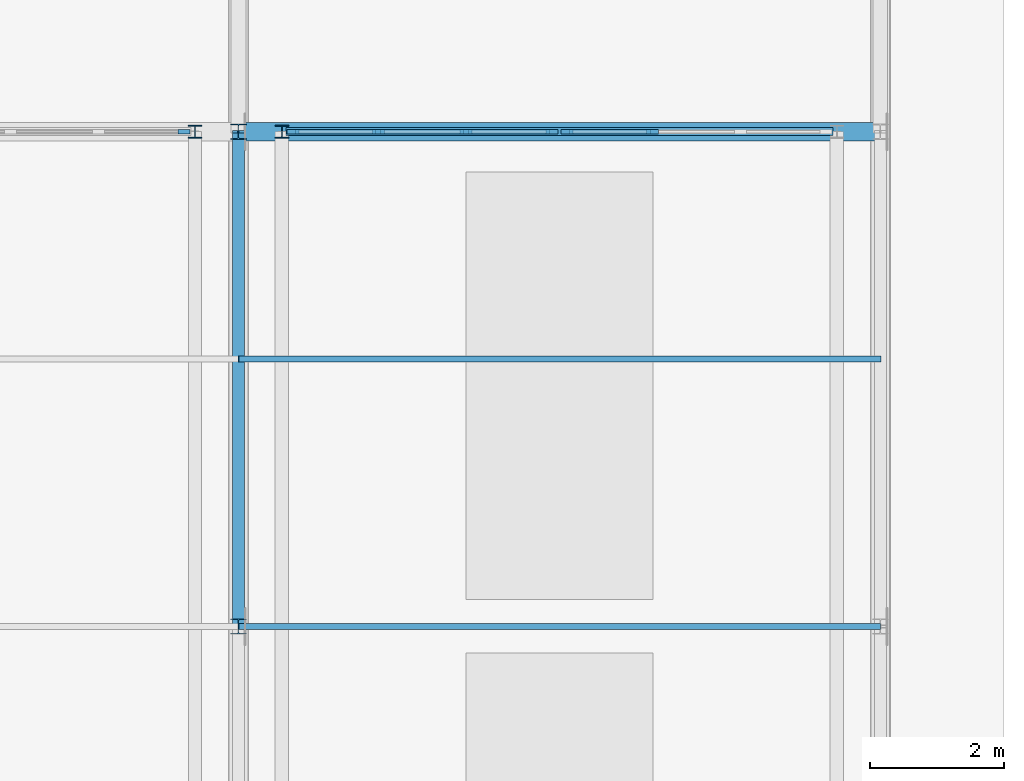
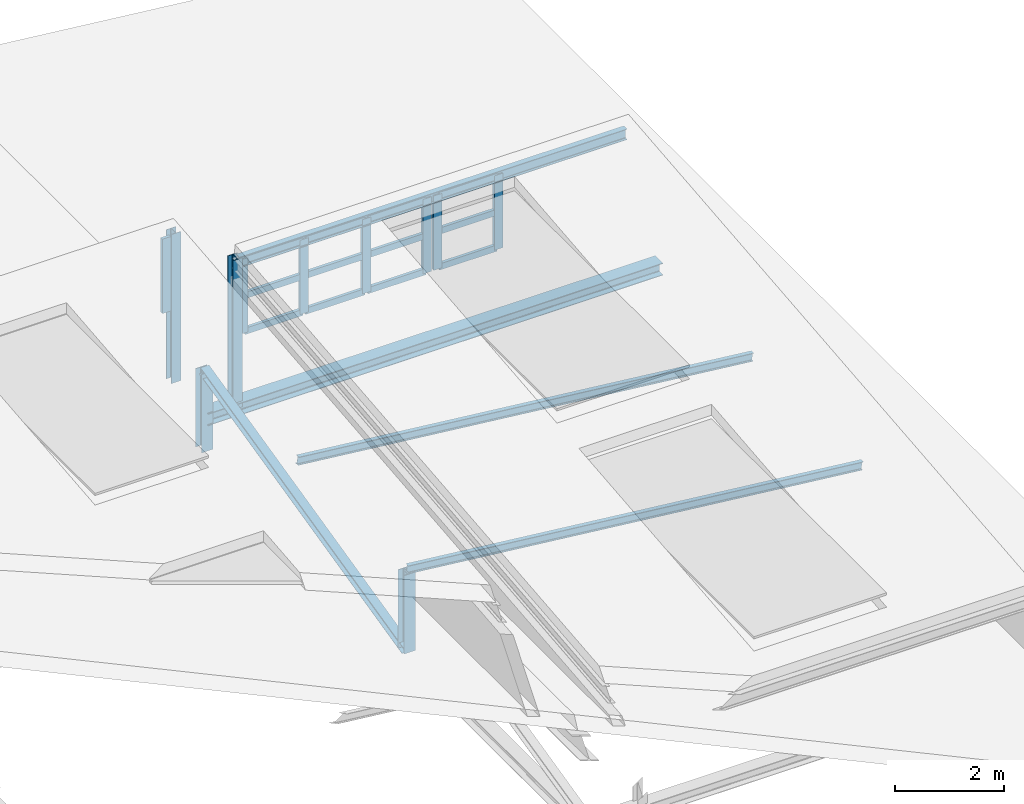
# One storey, part 22 of 30: 26 members, 2 beams, 3 elements without a shape of their own.
"""IFC4 building model written with IfcOpenShell, lengths in metres."""

from ifc_helpers import new_model, si_unit, direction, frame, origin, origin_2d, place, context, subcontext, project, spatial, rectangle, i_section, extrude, material, layer, layer_set, material_profile, profile_set, type_object, element, aggregate, save


model = new_model("IFC4")

# Units and contexts
model_context = context("Model", 3, precision=1e-05, world=origin(), true_north=direction((0.0, 1.0)))
body_context = subcontext(model_context, "Body", "Model", "MODEL_VIEW")
ifc_project = project(units=[si_unit("LENGTHUNIT", "METRE"), si_unit("AREAUNIT", "SQUARE_METRE"), si_unit("VOLUMEUNIT", "CUBIC_METRE"), si_unit("PLANEANGLEUNIT", "RADIAN"), si_unit("MASSUNIT", "GRAM", prefix="KILO")], contexts=[model_context])

# Site, building, storey
site_placement = place(None, origin())
site = spatial("IfcSite", under=ifc_project, at=site_placement, CompositionType="ELEMENT")
building_placement = place(site_placement, origin())
building = spatial("IfcBuilding", under=site, at=building_placement, Name="Alderhovde Museum", CompositionType="ELEMENT")
storey_placement = place(building_placement, frame((0.0, 0.0, 30.699951171875)))
storey = spatial("IfcBuildingStorey", under=building, at=storey_placement, Name="RF", CompositionType="ELEMENT", Elevation=30.699951171875)

# Beams
ifc_material_1 = material(Name="Steel S355J2", Category="steel")
ifc_material_profile_1 = material_profile(ifc_material_1, i_section(OverallWidth=0.280029296875, OverallDepth=0.27001953125, WebThickness=0.008056640625, FlangeThickness=0.012939453125, FilletRadius=0.02392578125, at=origin_2d()), Name="HEA 280")
ifc_profile_set_1 = profile_set([ifc_material_profile_1], Name="Steel S355J2")
beam_type_1 = type_object("IfcBeamType", Name="BM-HEA280", PredefinedType="BEAM", material=ifc_profile_set_1)
beam_1_placement = place(storey_placement, frame((67.199951171875, 71.39990234375, -8.0), z_axis=(1.0, 0.0, 0.0), x_axis=(0.0, 1.0, 0.0)))
element("IfcBeam", 1, at=beam_1_placement, inside=storey, type_object=beam_type_1, Name="Sawtooth Monitor Stringer Bay 7-N", PredefinedType="BEAM", context=body_context, shape_type="SweptSolid", body=[
    extrude(i_section(OverallWidth=0.280029296875, OverallDepth=0.27001953125, WebThickness=0.008056640625, FlangeThickness=0.012939453125, FilletRadius=0.02392578125, at=origin_2d()), origin(), (0.0, 0.0, 1.0), 9.60009765625),
])
ifc_material_2 = material(Name="Steel S355J2", Category="steel")
ifc_material_profile_2 = material_profile(ifc_material_2, i_section(OverallWidth=0.1201171875, OverallDepth=0.239990234375, WebThickness=0.006103515625, FlangeThickness=0.009765625, FilletRadius=0.014892578125, at=origin_2d()), Name="IPE 240")
ifc_profile_set_2 = profile_set([ifc_material_profile_2], Name="Steel S355J2")
beam_type_2 = type_object("IfcBeamType", Name="BM-IPE240", PredefinedType="BEAM", material=ifc_profile_set_2)
beam_2_placement = place(storey_placement, frame((67.909912109375, 71.39990234375, -4.791748046875), z_axis=(1.0, 0.0, 0.0), x_axis=(0.0, 1.0, 0.0)))
element("IfcBeam", 2, at=beam_2_placement, inside=storey, type_object=beam_type_2, Name="Sawtooth Monitor Wedge Rafter Bay 7-N", PredefinedType="BEAM", context=body_context, shape_type="SweptSolid", body=[
    extrude(i_section(OverallWidth=0.1201171875, OverallDepth=0.239990234375, WebThickness=0.006103515625, FlangeThickness=0.009765625, FilletRadius=0.014892578125, at=origin_2d()), origin(), (0.0, 0.0, 1.0), 8.18017578125),
])

# Curtain wall, member
ifc_material_3 = material(Name="Triple-Glazed Bronze-Anodised Curtain Wall", Category="glass")
ifc_layer = layer(ifc_material_3, 0.179931640625)
ifc_layer_set = layer_set([ifc_layer], Name="Triple-Glazed Bronze-Anodised Curtain Wall")
curtain_wall_type = type_object("IfcCurtainWallType", Name="CW-STIC-394x166", PredefinedType="USERDEFINED", material=ifc_layer_set)
curtain_wall_1_placement = place(storey_placement, origin())
curtain_wall_1 = element("IfcCurtainWall", 3, at=curtain_wall_1_placement, inside=storey, type_object=curtain_wall_type, Name="RF Stick Curtain Wall 176", ObjectType="STICK CURTAIN WALL", PredefinedType="USERDEFINED")
ifc_material_4 = material(Name="Bronze-Anodised Aluminium EN AW-6063-T6", Category="aluminium")
ifc_material_profile_3 = material_profile(ifc_material_4, rectangle(XDim=0.06494140625, YDim=0.179931640625, at=origin_2d()), Name="MULLION 65x180")
ifc_profile_set_3 = profile_set([ifc_material_profile_3], Name="Bronze-Anodised Aluminium EN AW-6063-T6")
member_type_1 = type_object("IfcMemberType", Name="CWM-65x180", PredefinedType="MULLION", material=ifc_profile_set_3)
member_1_placement = place(storey_placement, frame((66.387451171875, 71.39990234375, -5.383056640625), z_axis=(0.0, 0.0, 1.0), x_axis=(0.0, 1.0, 0.0)))
member_1 = element("IfcMember", 4, at=member_1_placement, type_object=member_type_1, Name="CW39 mullion 4", PredefinedType="MULLION", context=body_context, shape_type="SweptSolid", body=[
    extrude(rectangle(XDim=0.06494140625, YDim=0.179931640625, at=origin_2d()), origin(), (0.0, 0.0, 1.0), 1.66015625),
])
aggregate(curtain_wall_1, [member_1])

# Curtain wall, members
curtain_wall_2_placement = place(storey_placement, origin())
curtain_wall_2 = element("IfcCurtainWall", 5, at=curtain_wall_2_placement, inside=storey, type_object=curtain_wall_type, Name="RF Stick Curtain Wall 177", ObjectType="STICK CURTAIN WALL", PredefinedType="USERDEFINED")
member_2_placement = place(storey_placement, frame((68.012451171875, 71.39990234375, -6.421875), z_axis=(0.0, 0.0, 1.0), x_axis=(0.0, 1.0, 0.0)))
member_2 = element("IfcMember", 6, at=member_2_placement, type_object=member_type_1, Name="CW39 mullion 1", PredefinedType="MULLION", context=body_context, shape_type="SweptSolid", body=[
    extrude(rectangle(XDim=0.06494140625, YDim=0.179931640625, at=origin_2d()), origin(), (0.0, 0.0, 1.0), 1.659912109375),
])
member_3_placement = place(storey_placement, frame((69.293212890625, 71.39990234375, -6.421875), z_axis=(0.0, 0.0, 1.0), x_axis=(0.0, 1.0, 0.0)))
member_3 = element("IfcMember", 7, at=member_3_placement, type_object=member_type_1, Name="CW39 mullion 2", PredefinedType="MULLION", context=body_context, shape_type="SweptSolid", body=[
    extrude(rectangle(XDim=0.06494140625, YDim=0.179931640625, at=origin_2d()), origin(), (0.0, 0.0, 1.0), 1.659912109375),
])
member_4_placement = place(storey_placement, frame((70.606689453125, 71.39990234375, -6.421875), z_axis=(0.0, 0.0, 1.0), x_axis=(0.0, 1.0, 0.0)))
member_4 = element("IfcMember", 8, at=member_4_placement, type_object=member_type_1, Name="CW39 mullion 3", PredefinedType="MULLION", context=body_context, shape_type="SweptSolid", body=[
    extrude(rectangle(XDim=0.06494140625, YDim=0.179931640625, at=origin_2d()), origin(), (0.0, 0.0, 1.0), 1.659912109375),
])
member_5_placement = place(storey_placement, frame((71.887451171875, 71.39990234375, -6.421875), z_axis=(0.0, 0.0, 1.0), x_axis=(0.0, 1.0, 0.0)))
member_5 = element("IfcMember", 9, at=member_5_placement, type_object=member_type_1, Name="CW39 mullion 4", PredefinedType="MULLION", context=body_context, shape_type="SweptSolid", body=[
    extrude(rectangle(XDim=0.06494140625, YDim=0.179931640625, at=origin_2d()), origin(), (0.0, 0.0, 1.0), 1.659912109375),
])

curtain_wall_3_placement = place(storey_placement, origin())
curtain_wall_3 = element("IfcCurtainWall", 10, at=curtain_wall_3_placement, inside=storey, type_object=curtain_wall_type, Name="RF Stick Curtain Wall 178", ObjectType="STICK CURTAIN WALL", PredefinedType="USERDEFINED")
member_6_placement = place(storey_placement, frame((72.112548828125, 71.39990234375, -6.421875), z_axis=(0.0, 0.0, 1.0), x_axis=(0.0, 1.0, 0.0)))
member_6 = element("IfcMember", 11, at=member_6_placement, type_object=member_type_1, Name="CW39 mullion 1", PredefinedType="MULLION", context=body_context, shape_type="SweptSolid", body=[
    extrude(rectangle(XDim=0.06494140625, YDim=0.179931640625, at=origin_2d()), origin(), (0.0, 0.0, 1.0), 1.659912109375),
])
member_7_placement = place(storey_placement, frame((73.393310546875, 71.39990234375, -6.421875), z_axis=(0.0, 0.0, 1.0), x_axis=(0.0, 1.0, 0.0)))
member_7 = element("IfcMember", 12, at=member_7_placement, type_object=member_type_1, Name="CW39 mullion 2", PredefinedType="MULLION", context=body_context, shape_type="SweptSolid", body=[
    extrude(rectangle(XDim=0.06494140625, YDim=0.179931640625, at=origin_2d()), origin(), (0.0, 0.0, 1.0), 1.659912109375),
])

# Member
ifc_material_5 = material(Name="Bronze-Anodised Aluminium EN AW-6063-T6", Category="aluminium")
ifc_material_profile_4 = material_profile(ifc_material_5, rectangle(XDim=0.06494140625, YDim=0.139892578125, at=origin_2d()), Name="TRANSOM 65x140")
ifc_profile_set_4 = profile_set([ifc_material_profile_4], Name="Bronze-Anodised Aluminium EN AW-6063-T6")
member_type_2 = type_object("IfcMemberType", Name="CWT-65x140", PredefinedType="USERDEFINED", material=ifc_profile_set_4)
member_8_placement = place(storey_placement, frame((68.044921875, 71.39990234375, -6.389404296875), z_axis=(1.0, 0.0, 0.0), x_axis=(0.0, 1.0, 0.0)))
member_8 = element("IfcMember", 13, at=member_8_placement, type_object=member_type_2, Name="CW39 transom 1.1", ObjectType="TRANSOM", PredefinedType="USERDEFINED", context=body_context, shape_type="SweptSolid", body=[
    extrude(rectangle(XDim=0.06494140625, YDim=0.139892578125, at=origin_2d()), origin(), (0.0, 0.0, 1.0), 1.2158203125),
])

member_9_placement = place(storey_placement, frame((68.044921875, 71.39990234375, -5.592041015625), z_axis=(1.0, 0.0, 0.0), x_axis=(0.0, 1.0, 0.0)))
member_9 = element("IfcMember", 14, at=member_9_placement, type_object=member_type_2, Name="CW39 transom 1.2", ObjectType="TRANSOM", PredefinedType="USERDEFINED", context=body_context, shape_type="SweptSolid", body=[
    extrude(rectangle(XDim=0.06494140625, YDim=0.139892578125, at=origin_2d()), origin(), (0.0, 0.0, 1.0), 1.2158203125),
])

member_10_placement = place(storey_placement, frame((68.044921875, 71.39990234375, -4.79443359375), z_axis=(1.0, 0.0, 0.0), x_axis=(0.0, 1.0, 0.0)))
member_10 = element("IfcMember", 15, at=member_10_placement, type_object=member_type_2, Name="CW39 transom 1.3", ObjectType="TRANSOM", PredefinedType="USERDEFINED", context=body_context, shape_type="SweptSolid", body=[
    extrude(rectangle(XDim=0.06494140625, YDim=0.139892578125, at=origin_2d()), origin(), (0.0, 0.0, 1.0), 1.2158203125),
])

member_11_placement = place(storey_placement, frame((69.325927734375, 71.39990234375, -6.389404296875), z_axis=(1.0, 0.0, 0.0), x_axis=(0.0, 1.0, 0.0)))
member_11 = element("IfcMember", 16, at=member_11_placement, type_object=member_type_2, Name="CW39 transom 2.1", ObjectType="TRANSOM", PredefinedType="USERDEFINED", context=body_context, shape_type="SweptSolid", body=[
    extrude(rectangle(XDim=0.06494140625, YDim=0.139892578125, at=origin_2d()), origin(), (0.0, 0.0, 1.0), 1.248291015625),
])

member_12_placement = place(storey_placement, frame((69.325927734375, 71.39990234375, -5.592041015625), z_axis=(1.0, 0.0, 0.0), x_axis=(0.0, 1.0, 0.0)))
member_12 = element("IfcMember", 17, at=member_12_placement, type_object=member_type_2, Name="CW39 transom 2.2", ObjectType="TRANSOM", PredefinedType="USERDEFINED", context=body_context, shape_type="SweptSolid", body=[
    extrude(rectangle(XDim=0.06494140625, YDim=0.139892578125, at=origin_2d()), origin(), (0.0, 0.0, 1.0), 1.248291015625),
])

member_13_placement = place(storey_placement, frame((69.325927734375, 71.39990234375, -4.79443359375), z_axis=(1.0, 0.0, 0.0), x_axis=(0.0, 1.0, 0.0)))
member_13 = element("IfcMember", 18, at=member_13_placement, type_object=member_type_2, Name="CW39 transom 2.3", ObjectType="TRANSOM", PredefinedType="USERDEFINED", context=body_context, shape_type="SweptSolid", body=[
    extrude(rectangle(XDim=0.06494140625, YDim=0.139892578125, at=origin_2d()), origin(), (0.0, 0.0, 1.0), 1.248291015625),
])

member_14_placement = place(storey_placement, frame((70.63916015625, 71.39990234375, -6.389404296875), z_axis=(1.0, 0.0, 0.0), x_axis=(0.0, 1.0, 0.0)))
member_14 = element("IfcMember", 19, at=member_14_placement, type_object=member_type_2, Name="CW39 transom 3.1", ObjectType="TRANSOM", PredefinedType="USERDEFINED", context=body_context, shape_type="SweptSolid", body=[
    extrude(rectangle(XDim=0.06494140625, YDim=0.139892578125, at=origin_2d()), origin(), (0.0, 0.0, 1.0), 1.2158203125),
])

member_15_placement = place(storey_placement, frame((70.63916015625, 71.39990234375, -5.592041015625), z_axis=(1.0, 0.0, 0.0), x_axis=(0.0, 1.0, 0.0)))
member_15 = element("IfcMember", 20, at=member_15_placement, type_object=member_type_2, Name="CW39 transom 3.2", ObjectType="TRANSOM", PredefinedType="USERDEFINED", context=body_context, shape_type="SweptSolid", body=[
    extrude(rectangle(XDim=0.06494140625, YDim=0.139892578125, at=origin_2d()), origin(), (0.0, 0.0, 1.0), 1.2158203125),
])

member_16_placement = place(storey_placement, frame((70.63916015625, 71.39990234375, -4.79443359375), z_axis=(1.0, 0.0, 0.0), x_axis=(0.0, 1.0, 0.0)))
member_16 = element("IfcMember", 21, at=member_16_placement, type_object=member_type_2, Name="CW39 transom 3.3", ObjectType="TRANSOM", PredefinedType="USERDEFINED", context=body_context, shape_type="SweptSolid", body=[
    extrude(rectangle(XDim=0.06494140625, YDim=0.139892578125, at=origin_2d()), origin(), (0.0, 0.0, 1.0), 1.2158203125),
])

aggregate(curtain_wall_2, [member_2, member_3, member_4, member_5, member_8, member_9, member_10, member_11, member_12, member_13, member_14, member_15, member_16])

member_17_placement = place(storey_placement, frame((72.14501953125, 71.39990234375, -6.389404296875), z_axis=(1.0, 0.0, 0.0), x_axis=(0.0, 1.0, 0.0)))
member_17 = element("IfcMember", 22, at=member_17_placement, type_object=member_type_2, Name="CW39 transom 1.1", ObjectType="TRANSOM", PredefinedType="USERDEFINED", context=body_context, shape_type="SweptSolid", body=[
    extrude(rectangle(XDim=0.06494140625, YDim=0.139892578125, at=origin_2d()), origin(), (0.0, 0.0, 1.0), 1.2158203125),
])

member_18_placement = place(storey_placement, frame((72.14501953125, 71.39990234375, -5.592041015625), z_axis=(1.0, 0.0, 0.0), x_axis=(0.0, 1.0, 0.0)))
member_18 = element("IfcMember", 23, at=member_18_placement, type_object=member_type_2, Name="CW39 transom 1.2", ObjectType="TRANSOM", PredefinedType="USERDEFINED", context=body_context, shape_type="SweptSolid", body=[
    extrude(rectangle(XDim=0.06494140625, YDim=0.139892578125, at=origin_2d()), origin(), (0.0, 0.0, 1.0), 1.2158203125),
])

member_19_placement = place(storey_placement, frame((72.14501953125, 71.39990234375, -4.79443359375), z_axis=(1.0, 0.0, 0.0), x_axis=(0.0, 1.0, 0.0)))
member_19 = element("IfcMember", 24, at=member_19_placement, type_object=member_type_2, Name="CW39 transom 1.3", ObjectType="TRANSOM", PredefinedType="USERDEFINED", context=body_context, shape_type="SweptSolid", body=[
    extrude(rectangle(XDim=0.06494140625, YDim=0.139892578125, at=origin_2d()), origin(), (0.0, 0.0, 1.0), 1.2158203125),
])

aggregate(curtain_wall_3, [member_6, member_7, member_17, member_18, member_19])

# Members
ifc_material_6 = material(Name="Steel S355J2", Category="steel")
ifc_material_profile_5 = material_profile(ifc_material_6, i_section(OverallWidth=0.091064453125, OverallDepth=0.179931640625, WebThickness=0.00537109375, FlangeThickness=0.008056640625, FilletRadius=0.009033203125, at=origin_2d()), Name="IPE 180")
ifc_profile_set_5 = profile_set([ifc_material_profile_5], Name="Steel S355J2")
member_type_3 = type_object("IfcMemberType", Name="PRL-IPE180", PredefinedType="PURLIN", material=ifc_profile_set_5)
for number, where, z_axis, x_axis, name in (
    (25, (67.199951171875, 64.0, -6.921630859375), (0.994201715794, 0.0, -0.107531150432), (0.0, 1.0, 0.0), "Folded Wing Roof Purlin Bay 7 Y=64"),
    (26, (67.199951171875, 68.0, -6.921630859375), (0.994201715794, 0.0, -0.107531150432), (0.0, 1.0, 0.0), "Folded Wing Roof Purlin Bay 7 Y=68"),
):
    element("IfcMember", number, at=place(storey_placement, frame(where, z_axis=z_axis, x_axis=x_axis)), inside=storey, type_object=member_type_3, Name=name, PredefinedType="PURLIN", context=body_context, shape_type="SweptSolid", body=[
        extrude(i_section(OverallWidth=0.091064453125, OverallDepth=0.179931640625, WebThickness=0.00537109375, FlangeThickness=0.008056640625, FilletRadius=0.009033203125, at=origin_2d()), origin(), (0.0, 0.0, 1.0), 9.656005859375),
    ])
ifc_material_7 = material(Name="Steel S355J2", Category="steel")
ifc_material_profile_6 = material_profile(ifc_material_7, i_section(OverallWidth=0.179931640625, OverallDepth=0.1708984375, WebThickness=0.006103515625, FlangeThickness=0.009521484375, FilletRadius=0.014892578125, at=origin_2d()), Name="HEA 180")
ifc_profile_set_6 = profile_set([ifc_material_profile_6], Name="Steel S355J2")
member_type_4 = type_object("IfcMemberType", Name="TR-DG-HEA180", PredefinedType="RAFTER", material=ifc_profile_set_6)
member_20_placement = place(storey_placement, frame((67.199951171875, 64.0, -8.711669921875), z_axis=(0.0, 0.973157163281, 0.230141555473), x_axis=(-1.0, 0.0, 0.0)))
element("IfcMember", 27, at=member_20_placement, inside=storey, type_object=member_type_4, Name="Sawtooth Roof Truss X=67.2 Web Diagonal 3", PredefinedType="RAFTER", context=body_context, shape_type="SweptSolid", body=[
    extrude(i_section(OverallWidth=0.179931640625, OverallDepth=0.1708984375, WebThickness=0.006103515625, FlangeThickness=0.009521484375, FilletRadius=0.014892578125, at=origin_2d()), origin(), (0.0, 0.0, 1.0), 7.60400390625),
])
ifc_material_8 = material(Name="Steel S355J2", Category="steel")
ifc_material_profile_7 = material_profile(ifc_material_8, i_section(OverallWidth=0.199951171875, OverallDepth=0.18994140625, WebThickness=0.006591796875, FlangeThickness=0.010009765625, FilletRadius=0.01806640625, at=origin_2d()), Name="HEA 200")
ifc_profile_set_7 = profile_set([ifc_material_profile_7], Name="Steel S355J2")
member_type_5 = type_object("IfcMemberType", Name="TR-PS-HEA200", PredefinedType="POST", material=ifc_profile_set_7)
for number, where, z_axis, x_axis, name in (
    (28, (66.550048828125, 71.39990234375, -6.961669921875), (0.0, 0.0, 1.0), (1.0, 0.0, 0.0), "Sawtooth Monitor Post Bay 6-3"),
    (29, (67.85009765625, 71.39990234375, -8.0), (0.0, 0.0, 1.0), (1.0, 0.0, 0.0), "Sawtooth Monitor Post Bay 7-4"),
):
    element("IfcMember", number, at=place(storey_placement, frame(where, z_axis=z_axis, x_axis=x_axis)), inside=storey, type_object=member_type_5, Name=name, PredefinedType="POST", context=body_context, shape_type="SweptSolid", body=[
        extrude(i_section(OverallWidth=0.199951171875, OverallDepth=0.18994140625, WebThickness=0.006591796875, FlangeThickness=0.010009765625, FilletRadius=0.01806640625, at=origin_2d()), origin(), (0.0, 0.0, 1.0), 3.328369140625),
    ])
ifc_material_9 = material(Name="Steel S355J2", Category="steel")
ifc_material_profile_8 = material_profile(ifc_material_9, i_section(OverallWidth=0.239990234375, OverallDepth=0.22998046875, WebThickness=0.007568359375, FlangeThickness=0.011962890625, FilletRadius=0.02099609375, at=origin_2d()), Name="HEA 240")
ifc_profile_set_8 = profile_set([ifc_material_profile_8], Name="Steel S355J2")
member_type_6 = type_object("IfcMemberType", Name="TR-PS-HEA240", PredefinedType="POST", material=ifc_profile_set_8)
for number, where, z_axis, x_axis, name in (
    (30, (67.199951171875, 64.0, -8.711669921875), (0.0, 0.0, 1.0), (1.0, 0.0, 0.0), "Sawtooth Roof Truss X=67.2 Web Post 2"),
    (31, (67.199951171875, 71.39990234375, -8.711669921875), (0.0, 0.0, 1.0), (1.0, 0.0, 0.0), "Sawtooth Roof Truss X=67.2 Web Post 3"),
):
    element("IfcMember", number, at=place(storey_placement, frame(where, z_axis=z_axis, x_axis=x_axis)), inside=storey, type_object=member_type_6, Name=name, PredefinedType="POST", context=body_context, shape_type="SweptSolid", body=[
        extrude(i_section(OverallWidth=0.239990234375, OverallDepth=0.22998046875, WebThickness=0.007568359375, FlangeThickness=0.011962890625, FilletRadius=0.02099609375, at=origin_2d()), origin(), (0.0, 0.0, 1.0), 1.75),
    ])

save(model, "model.ifc")
